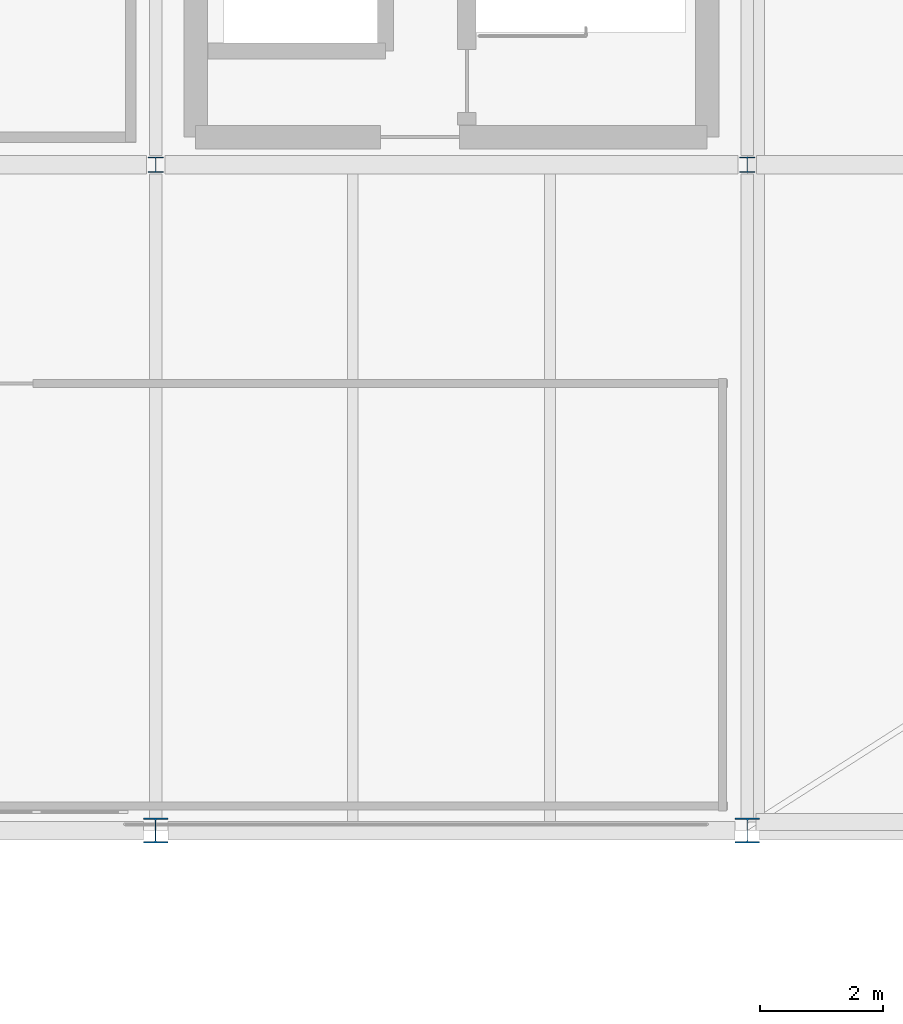
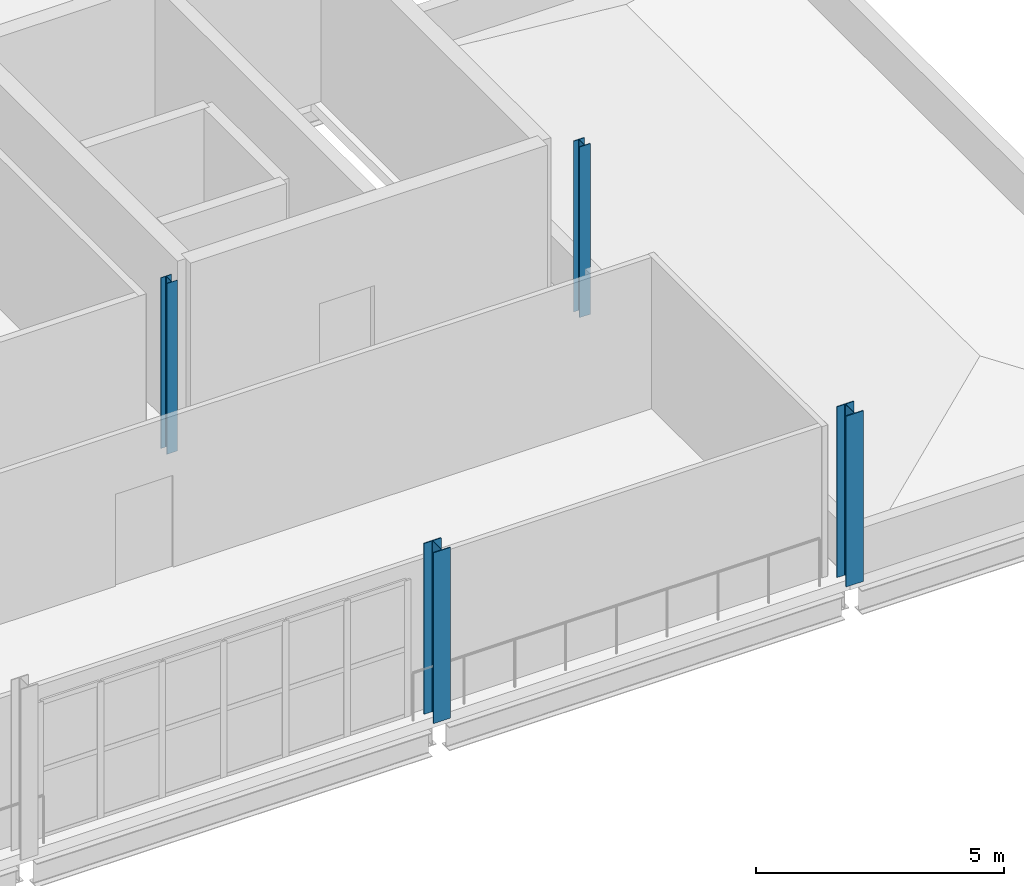
# One storey, part 7 of 58: 4 columns.
"""IFC4 building model written with IfcOpenShell, lengths in metres."""

from ifc_helpers import new_model, si_unit, direction, frame, origin, origin_2d, place, context, subcontext, project, spatial, i_section, extrude, material, material_profile, profile_set, type_object, element, save


model = new_model("IFC4")

# Units and contexts
model_context = context("Model", 3, precision=1e-05, world=origin(), true_north=direction((0.0, 1.0)))
body_context = subcontext(model_context, "Body", "Model", "MODEL_VIEW")
ifc_project = project(units=[si_unit("LENGTHUNIT", "METRE"), si_unit("AREAUNIT", "SQUARE_METRE"), si_unit("VOLUMEUNIT", "CUBIC_METRE"), si_unit("PLANEANGLEUNIT", "RADIAN"), si_unit("MASSUNIT", "GRAM", prefix="KILO")], contexts=[model_context])

# Site, building, storey
site_placement = place(None, origin())
site = spatial("IfcSite", under=ifc_project, at=site_placement, CompositionType="ELEMENT")
building_placement = place(site_placement, origin())
building = spatial("IfcBuilding", under=site, at=building_placement, Name="Yeouljin Market Hall", CompositionType="ELEMENT")
storey_placement = place(building_placement, frame((0.0, 0.0, 10.800048828125)))
storey = spatial("IfcBuildingStorey", under=building, at=storey_placement, Name="L02", CompositionType="ELEMENT", Elevation=10.800048828125)

# Columns
ifc_material_1 = material(Name="Steel SM355", Category="steel")
ifc_material_profile_1 = material_profile(ifc_material_1, i_section(OverallWidth=0.25, OverallDepth=0.25, WebThickness=0.009033203125, FlangeThickness=0.013916015625, FilletRadius=0.01611328125, at=origin_2d()), Name="H-250x250x9x14")
ifc_profile_set_1 = profile_set([ifc_material_profile_1], Name="Steel SM355")
column_type_1 = type_object("IfcColumnType", Name="Col_H-250x250x9x14", PredefinedType="COLUMN", material=ifc_profile_set_1)
for number, where, z_axis, x_axis, name in (
    (1, (102.60009765625, 88.800048828125, 0.0), (0.0, 0.0, 1.0), (1.0, 0.0, 0.0), "Column G-12-09 (L02)"),
    (2, (112.199951171875, 88.800048828125, 0.0), (0.0, 0.0, 1.0), (1.0, 0.0, 0.0), "Column G-13-09 (L02)"),
):
    element("IfcColumn", number, at=place(storey_placement, frame(where, z_axis=z_axis, x_axis=x_axis)), inside=storey, type_object=column_type_1, Name=name, PredefinedType="COLUMN", context=body_context, shape_type="SweptSolid", body=[
        extrude(i_section(OverallWidth=0.25, OverallDepth=0.25, WebThickness=0.009033203125, FlangeThickness=0.013916015625, FilletRadius=0.01611328125, at=origin_2d()), origin(), (0.0, 0.0, 1.0), 4.199951171875),
    ])
ifc_material_2 = material(Name="Steel SM355", Category="steel")
ifc_material_profile_2 = material_profile(ifc_material_2, i_section(OverallWidth=0.39990234375, OverallDepth=0.39990234375, WebThickness=0.012939453125, FlangeThickness=0.02099609375, FilletRadius=0.02197265625, at=origin_2d()), Name="H-400x400x13x21")
ifc_profile_set_2 = profile_set([ifc_material_profile_2], Name="Steel SM355")
column_type_2 = type_object("IfcColumnType", Name="Col_H-400x400x13x21", PredefinedType="COLUMN", material=ifc_profile_set_2)
for number, where, z_axis, x_axis, name in (
    (3, (102.60009765625, 78.0, 0.0), (0.0, 0.0, 1.0), (1.0, 0.0, 0.0), "Column G-12-08 (L02)"),
    (4, (112.199951171875, 78.0, 0.0), (0.0, 0.0, 1.0), (1.0, 0.0, 0.0), "Column G-13-08 (L02)"),
):
    element("IfcColumn", number, at=place(storey_placement, frame(where, z_axis=z_axis, x_axis=x_axis)), inside=storey, type_object=column_type_2, Name=name, PredefinedType="COLUMN", context=body_context, shape_type="SweptSolid", body=[
        extrude(i_section(OverallWidth=0.39990234375, OverallDepth=0.39990234375, WebThickness=0.012939453125, FlangeThickness=0.02099609375, FilletRadius=0.02197265625, at=origin_2d()), origin(), (0.0, 0.0, 1.0), 4.199951171875),
    ])

save(model, "model.ifc")
